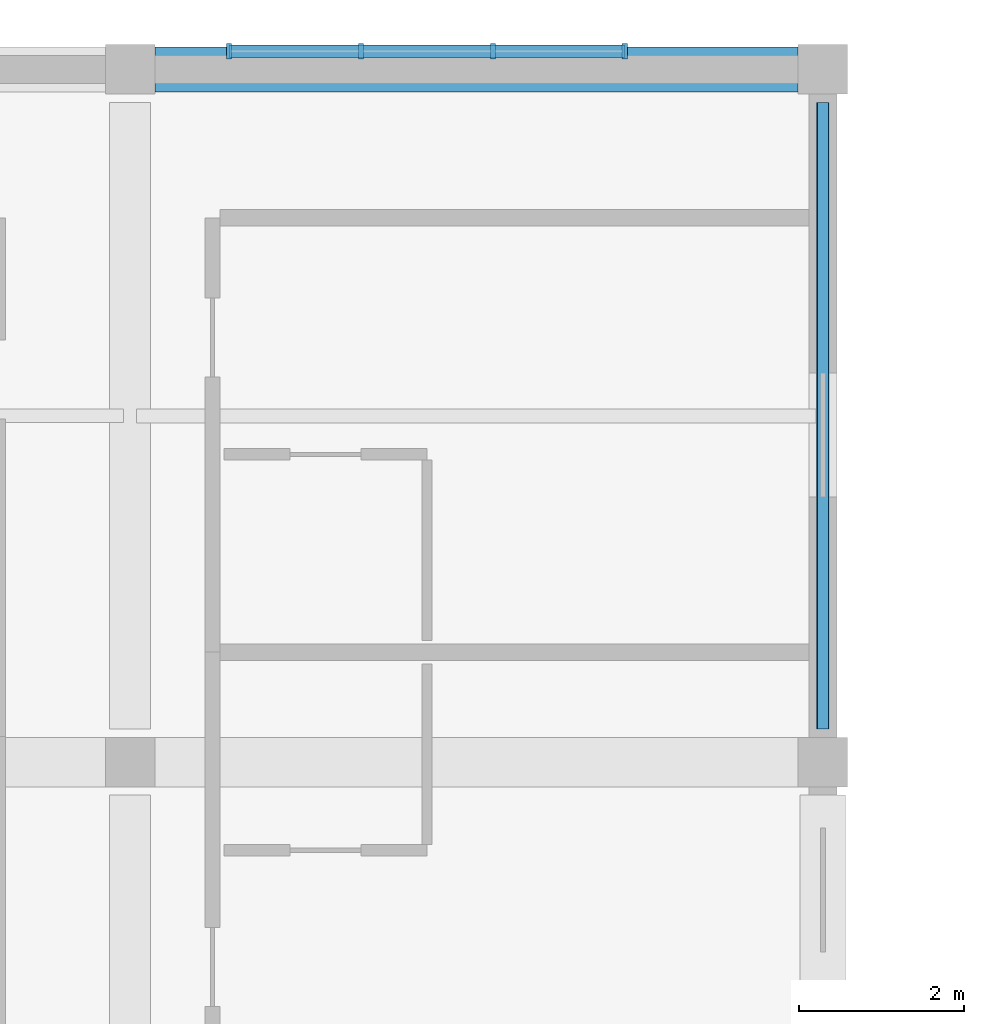
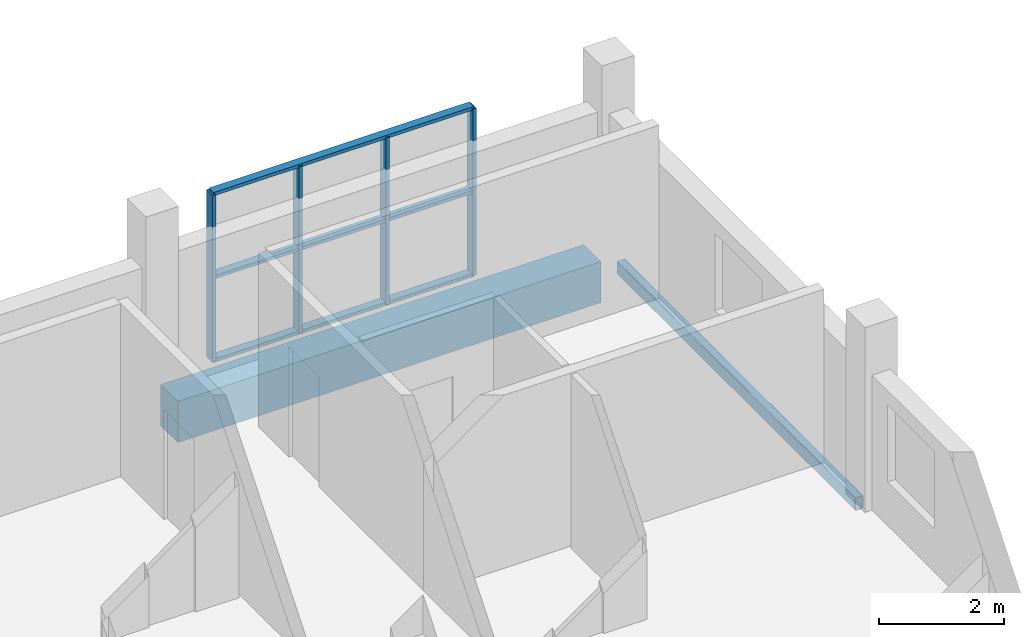
# One storey, part 6 of 25: 7 members, 2 beams, 1 element without a shape of its own.
"""IFC4 building model written with IfcOpenShell, lengths in metres."""

from ifc_helpers import new_model, si_unit, derived_unit, direction, frame, origin, origin_2d, place, context, subcontext, project, spatial, rectangle, hollow_rectangle, extrude, material, material_profile, profile_set, type_object, element, aggregate, save


model = new_model("IFC4")

# Units and contexts
model_context = context("Model", 3, precision=1e-05, world=origin(), true_north=direction((0.0, 1.0)))
body_context = subcontext(model_context, "Body", "Model", "MODEL_VIEW")
ifc_project = project(units=[si_unit("LENGTHUNIT", "METRE"), si_unit("AREAUNIT", "SQUARE_METRE"), si_unit("VOLUMEUNIT", "CUBIC_METRE"), si_unit("PLANEANGLEUNIT", "RADIAN"), si_unit("MASSUNIT", "GRAM", prefix="KILO"), derived_unit("THERMALTRANSMITTANCEUNIT", [(si_unit("POWERUNIT", "WATT"), 1), (si_unit("LENGTHUNIT", "METRE"), -2), (si_unit("THERMODYNAMICTEMPERATUREUNIT", "KELVIN"), -1)])], contexts=[model_context])

# Site, building, storey
site_placement = place(None, origin())
site = spatial("IfcSite", under=ifc_project, at=site_placement, CompositionType="ELEMENT")
building_placement = place(site_placement, origin())
building = spatial("IfcBuilding", under=site, at=building_placement, Name="Barrovel Congress Hotel", CompositionType="ELEMENT")
storey_placement = place(building_placement, frame((0.0, 0.0, 25.5)))
storey = spatial("IfcBuildingStorey", under=building, at=storey_placement, Name="L06", CompositionType="ELEMENT", Elevation=25.5)

# Beam
ifc_material_1 = material(Name="Concrete C40", Category="concrete")
ifc_material_profile_1 = material_profile(ifc_material_1, rectangle(XDim=0.550048828125, YDim=0.800048828125, at=origin_2d()), Name="RC550x800")
ifc_profile_set_1 = profile_set([ifc_material_profile_1], Name="Concrete C40")
beam_type_1 = type_object("IfcBeamType", Name="BM-RC550x800", PredefinedType="BEAM", material=ifc_profile_set_1)
beam_1_placement = place(storey_placement, frame((42.300048828125, 79.800048828125, -0.6201171875), z_axis=(1.0, 0.0, 0.0), x_axis=(0.0, 1.0, 0.0)))
element("IfcBeam", 1, at=beam_1_placement, inside=storey, type_object=beam_type_1, Name="BMX:L06:79.8:42.0-50.4", PredefinedType="BEAM", context=body_context, shape_type="SweptSolid", body=[
    extrude(rectangle(XDim=0.550048828125, YDim=0.800048828125, at=origin_2d()), origin(), (0.0, 0.0, 1.0), 7.800048828125),
])

# Curtain wall, members
ifc_material_2 = material(Name="Anodised Aluminium Alloy 6063-T6", Category="aluminium")
curtain_wall_type = type_object("IfcCurtainWallType", Name="CW-UN-4800x3200", PredefinedType="USERDEFINED", material=ifc_material_2)
curtain_wall_placement = place(storey_placement, origin())
curtain_wall = element("IfcCurtainWall", 2, at=curtain_wall_placement, inside=storey, type_object=curtain_wall_type, Name="CW:L06:UN-2", ObjectType="UNITISED CURTAIN WALL", PredefinedType="USERDEFINED")
ifc_material_profile_2 = material_profile(ifc_material_2, rectangle(XDim=0.06494140625, YDim=0.18994140625, at=origin_2d()), Name="AL-M65x190")
ifc_profile_set_2 = profile_set([ifc_material_profile_2], Name="Anodised Aluminium Alloy 6063-T6")
member_type_1 = type_object("IfcMemberType", Name="CWM-AL-M65x190", PredefinedType="MULLION", material=ifc_profile_set_2)
member_1_placement = place(storey_placement, frame((43.199951171875, 80.02001953125, 0.0), z_axis=(0.0, 0.0, 1.0), x_axis=(1.0, 0.0, 0.0)))
member_1 = element("IfcMember", 3, at=member_1_placement, type_object=member_type_1, Name="CW:L06:UN-2:M0", PredefinedType="MULLION", context=body_context, shape_type="SweptSolid", body=[
    extrude(rectangle(XDim=0.06494140625, YDim=0.18994140625, at=origin_2d()), origin(), (0.0, 0.0, 1.0), 3.25),
])
member_2_placement = place(storey_placement, frame((44.800048828125, 80.02001953125, 0.0), z_axis=(0.0, 0.0, 1.0), x_axis=(1.0, 0.0, 0.0)))
member_2 = element("IfcMember", 4, at=member_2_placement, type_object=member_type_1, Name="CW:L06:UN-2:M1", PredefinedType="MULLION", context=body_context, shape_type="SweptSolid", body=[
    extrude(rectangle(XDim=0.06494140625, YDim=0.18994140625, at=origin_2d()), origin(), (0.0, 0.0, 1.0), 3.25),
])
member_3_placement = place(storey_placement, frame((46.39990234375, 80.02001953125, 0.0), z_axis=(0.0, 0.0, 1.0), x_axis=(1.0, 0.0, 0.0)))
member_3 = element("IfcMember", 5, at=member_3_placement, type_object=member_type_1, Name="CW:L06:UN-2:M2", PredefinedType="MULLION", context=body_context, shape_type="SweptSolid", body=[
    extrude(rectangle(XDim=0.06494140625, YDim=0.18994140625, at=origin_2d()), origin(), (0.0, 0.0, 1.0), 3.25),
])
member_4_placement = place(storey_placement, frame((48.0, 80.02001953125, 0.0), z_axis=(0.0, 0.0, 1.0), x_axis=(1.0, 0.0, 0.0)))
member_4 = element("IfcMember", 6, at=member_4_placement, type_object=member_type_1, Name="CW:L06:UN-2:M3", PredefinedType="MULLION", context=body_context, shape_type="SweptSolid", body=[
    extrude(rectangle(XDim=0.06494140625, YDim=0.18994140625, at=origin_2d()), origin(), (0.0, 0.0, 1.0), 3.25),
])
ifc_material_profile_3 = material_profile(ifc_material_2, rectangle(XDim=0.14990234375, YDim=0.06494140625, at=origin_2d()), Name="AL-T65x150")
ifc_profile_set_3 = profile_set([ifc_material_profile_3], Name="Anodised Aluminium Alloy 6063-T6")
member_type_2 = type_object("IfcMemberType", Name="CWT-AL-T65x150", PredefinedType="USERDEFINED", material=ifc_profile_set_3)
member_5_placement = place(storey_placement, frame((43.199951171875, 80.02001953125, 0.0), z_axis=(1.0, 0.0, 0.0), x_axis=(0.0, 1.0, 0.0)))
member_5 = element("IfcMember", 7, at=member_5_placement, type_object=member_type_2, Name="CW:L06:UN-2:T0", ObjectType="TRANSOM", PredefinedType="USERDEFINED", context=body_context, shape_type="SweptSolid", body=[
    extrude(rectangle(XDim=0.14990234375, YDim=0.06494140625, at=origin_2d()), origin(), (0.0, 0.0, 1.0), 4.800048828125),
])
member_6_placement = place(storey_placement, frame((43.199951171875, 80.02001953125, 1.625), z_axis=(1.0, 0.0, 0.0), x_axis=(0.0, 1.0, 0.0)))
member_6 = element("IfcMember", 8, at=member_6_placement, type_object=member_type_2, Name="CW:L06:UN-2:T1", ObjectType="TRANSOM", PredefinedType="USERDEFINED", context=body_context, shape_type="SweptSolid", body=[
    extrude(rectangle(XDim=0.14990234375, YDim=0.06494140625, at=origin_2d()), origin(), (0.0, 0.0, 1.0), 4.800048828125),
])
member_7_placement = place(storey_placement, frame((43.199951171875, 80.02001953125, 3.25), z_axis=(1.0, 0.0, 0.0), x_axis=(0.0, 1.0, 0.0)))
member_7 = element("IfcMember", 9, at=member_7_placement, type_object=member_type_2, Name="CW:L06:UN-2:T2", ObjectType="TRANSOM", PredefinedType="USERDEFINED", context=body_context, shape_type="SweptSolid", body=[
    extrude(rectangle(XDim=0.14990234375, YDim=0.06494140625, at=origin_2d()), origin(), (0.0, 0.0, 1.0), 4.800048828125),
])
aggregate(curtain_wall, [member_1, member_2, member_3, member_4, member_5, member_6, member_7])

# Beam
ifc_material_3 = material(Name="Steel ASTM A500 Grade C", Category="steel")
ifc_material_profile_4 = material_profile(ifc_material_3, hollow_rectangle(XDim=0.15234375, YDim=0.25390625, WallThickness=0.0087890625, InnerFilletRadius=0.0087890625, OuterFilletRadius=0.017578125, at=origin_2d()), Name="HSS254x152x9.5")
ifc_profile_set_4 = profile_set([ifc_material_profile_4], Name="Steel ASTM A500 Grade C")
beam_type_2 = type_object("IfcBeamType", Name="SBM-HSS254x152x9.5", PredefinedType="SPANDREL", material=ifc_profile_set_4)
beam_2_placement = place(storey_placement, frame((50.39990234375, 71.800048828125, -0.346923828125), z_axis=(0.0, 1.0, 0.0), x_axis=(-1.0, 0.0, 0.0)))
element("IfcBeam", 10, at=beam_2_placement, inside=storey, type_object=beam_type_2, Name="BMY:L06:50.4:71.4-79.8", PredefinedType="SPANDREL", context=body_context, shape_type="SweptSolid", body=[
    extrude(hollow_rectangle(XDim=0.15234375, YDim=0.25390625, WallThickness=0.0087890625, InnerFilletRadius=0.0087890625, OuterFilletRadius=0.017578125, at=origin_2d()), origin(), (0.0, 0.0, 1.0), 7.599853515625),
])

save(model, "model.ifc")
